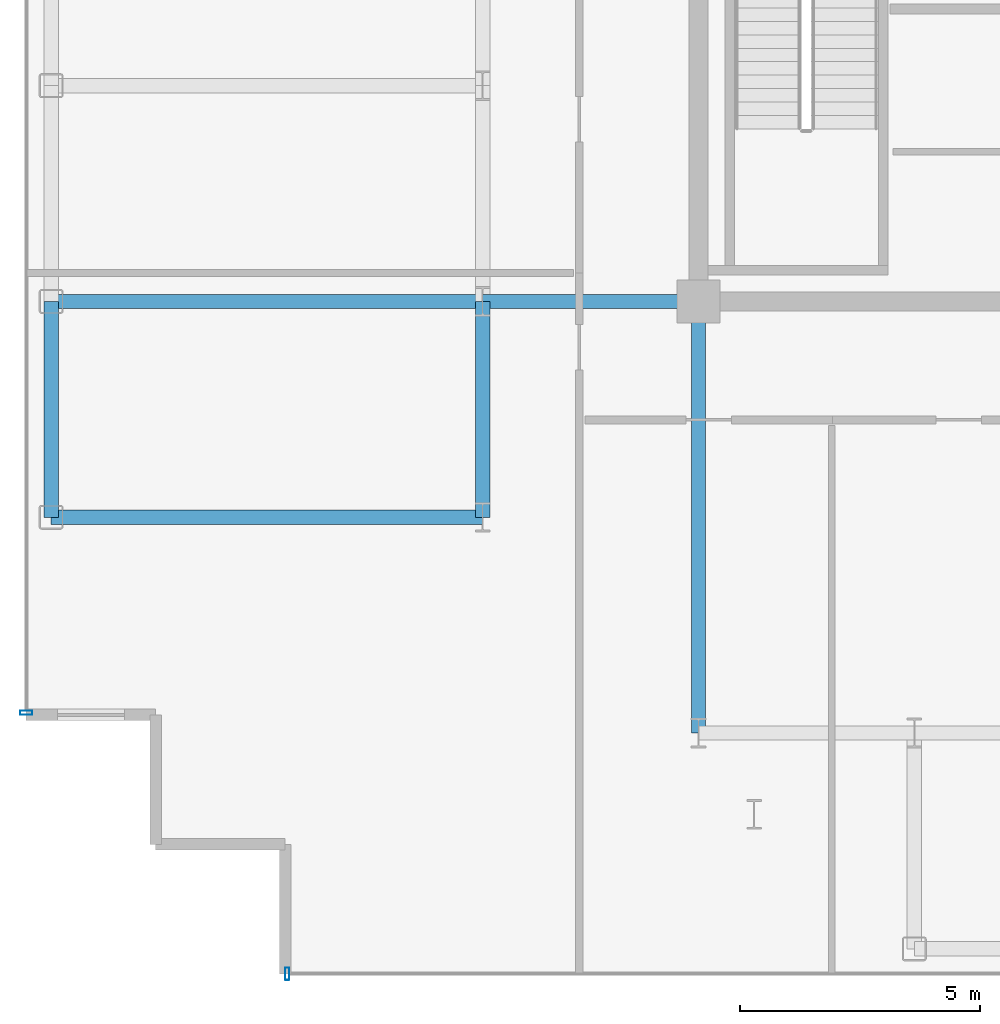
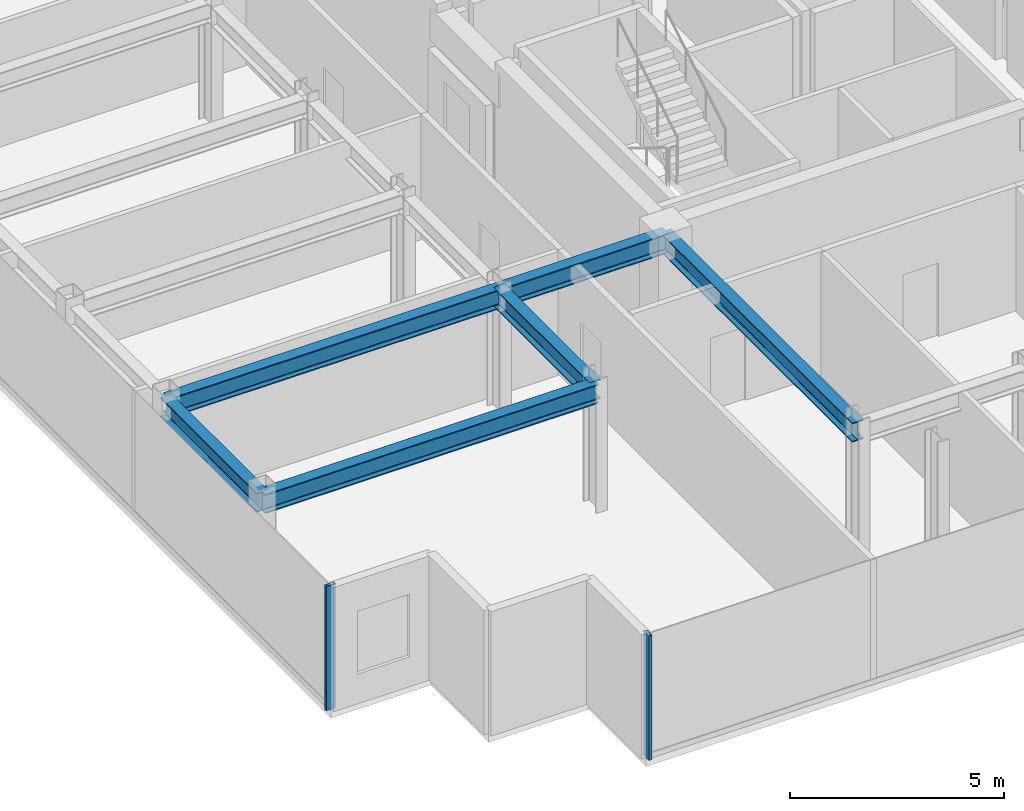
# One storey, part 2 of 18: 6 beams, 2 members, 2 elements without a shape of their own.
"""IFC4 building model written with IfcOpenShell, lengths in metres."""

from ifc_helpers import new_model, si_unit, direction, frame, origin, origin_2d, place, context, subcontext, project, spatial, hollow_rectangle, i_section, extrude, source, transform, mapped, material, layer, layer_set, material_profile, profile_set, type_object, element, aggregate, save


model = new_model("IFC4")

# Units and contexts
model_context = context("Model", 3, precision=1e-05, world=origin(), true_north=direction((0.0, 1.0)))
body_context = subcontext(model_context, "Body", "Model", "MODEL_VIEW")
ifc_project = project(units=[si_unit("LENGTHUNIT", "METRE"), si_unit("AREAUNIT", "SQUARE_METRE"), si_unit("VOLUMEUNIT", "CUBIC_METRE"), si_unit("PLANEANGLEUNIT", "RADIAN"), si_unit("MASSUNIT", "GRAM", prefix="KILO")], contexts=[model_context])

# Site, building, storey
site_placement = place(None, origin())
site = spatial("IfcSite", under=ifc_project, at=site_placement, CompositionType="ELEMENT")
building_placement = place(site_placement, origin())
building = spatial("IfcBuilding", under=site, at=building_placement, Name="Nefas-Gora Pilgrimage Tower", CompositionType="ELEMENT")
storey_placement = place(building_placement, frame((0.0, 0.0, 326.199951171875)))
storey = spatial("IfcBuildingStorey", under=building, at=storey_placement, Name="L82", CompositionType="ELEMENT", Elevation=326.199951171875)

# Beams
ifc_material_1 = material(Name="Steel S355", Category="steel")
ifc_material_profile_1 = material_profile(ifc_material_1, i_section(OverallWidth=0.300048828125, OverallDepth=0.550048828125, WebThickness=0.014892578125, FlangeThickness=0.029052734375, FilletRadius=0.027099609375, at=origin_2d()), Name="HEB 550")
ifc_profile_set_1 = profile_set([ifc_material_profile_1], Name="Steel S355")
beam_type_1 = type_object("IfcBeamType", Name="BM-SPN-HEB400", PredefinedType="SPANDREL", material=ifc_profile_set_1)
shared_shape_1 = source(origin(), body_context, "Body", "SweptSolid", [
    extrude(i_section(OverallWidth=0.300048828125, OverallDepth=0.550048828125, WebThickness=0.014892578125, FlangeThickness=0.029052734375, FilletRadius=0.027099609375, at=origin_2d()), origin(), (0.0, 0.0, 1.0), 4.5),
])
beam_placement = place(storey_placement, frame((-24.75, -13.5, 3.275146484375), z_axis=(0.0, 1.0, 0.0), x_axis=(-1.0, 0.0, 0.0)))
element("IfcBeam", 1, at=beam_placement, inside=storey, type_object=beam_type_1, Name="L82 SP-04 beam", PredefinedType="SPANDREL", context=body_context, shape_type="MappedRepresentation", body=[
    mapped(shared_shape_1, transform((0.0, 0.0, 0.0), x_axis=(1.0, 0.0, 0.0), y_axis=(0.0, 1.0, 0.0), z_axis=(0.0, 0.0, 1.0), scale=1.0)),
])
ifc_material_profile_2 = material_profile(ifc_material_1, i_section(OverallWidth=0.300048828125, OverallDepth=0.550048828125, WebThickness=0.014892578125, FlangeThickness=0.029052734375, FilletRadius=0.027099609375, at=origin_2d()), Name="HEB 550")
ifc_profile_set_2 = profile_set([ifc_material_profile_2], Name="Steel S355")
beam_type_2 = type_object("IfcBeamType", Name="BM-GIR-HEB550", PredefinedType="BEAM", material=ifc_profile_set_2)
shared_shape_2 = source(origin(), body_context, "Body", "SweptSolid", [
    extrude(i_section(OverallWidth=0.300048828125, OverallDepth=0.550048828125, WebThickness=0.014892578125, FlangeThickness=0.029052734375, FilletRadius=0.027099609375, at=origin_2d()), origin(), (0.0, 0.0, 1.0), 9.0),
])
for number, where, z_axis, x_axis, name in (
    (2, (-24.75, -13.5, 3.275146484375), (1.0, 0.0, 0.0), (0.0, 1.0, 0.0), "L82 G-05 beam"),
    (3, (-24.75, -9.0, 3.275146484375), (1.0, 0.0, 0.0), (0.0, 1.0, 0.0), "L82 G-05 beam"),
    (4, (-11.25, -18.0, 3.275146484375), (0.0, 1.0, 0.0), (-1.0, 0.0, 0.0), "L82 G-05 beam"),
):
    element("IfcBeam", number, at=place(storey_placement, frame(where, z_axis=z_axis, x_axis=x_axis)), inside=storey, type_object=beam_type_2, Name=name, PredefinedType="BEAM", context=body_context, shape_type="MappedRepresentation", body=[
        mapped(shared_shape_2, transform((0.0, 0.0, 0.0), x_axis=(1.0, 0.0, 0.0), y_axis=(0.0, 1.0, 0.0), z_axis=(0.0, 0.0, 1.0), scale=1.0)),
    ])
shared_shape_3 = source(origin(), body_context, "Body", "SweptSolid", [
    extrude(i_section(OverallWidth=0.300048828125, OverallDepth=0.550048828125, WebThickness=0.014892578125, FlangeThickness=0.029052734375, FilletRadius=0.027099609375, at=origin_2d()), origin(), (0.0, 0.0, 1.0), 4.5),
])
for number, where, z_axis, x_axis, name in (
    (5, (-15.75, -13.5, 3.275146484375), (0.0, 1.0, 0.0), (-1.0, 0.0, 0.0), "L82 G-05 beam"),
    (6, (-15.75, -9.0, 3.275146484375), (1.0, 0.0, 0.0), (0.0, 1.0, 0.0), "L82 G-05 beam"),
):
    element("IfcBeam", number, at=place(storey_placement, frame(where, z_axis=z_axis, x_axis=x_axis)), inside=storey, type_object=beam_type_2, Name=name, PredefinedType="BEAM", context=body_context, shape_type="MappedRepresentation", body=[
        mapped(shared_shape_3, transform((0.0, 0.0, 0.0), x_axis=(1.0, 0.0, 0.0), y_axis=(0.0, 1.0, 0.0), z_axis=(0.0, 0.0, 1.0), scale=1.0)),
    ])

# Curtain wall, member
ifc_material_2 = material(Name="Dark ceramic-fritted solar-control aluminium-glass curtain wall", Category="aluminium")
ifc_layer = layer(ifc_material_2, 0.219970703125)
ifc_layer_set = layer_set([ifc_layer], Name="Dark ceramic-fritted solar-control aluminium-glass curtain wall")
curtain_wall_type = type_object("IfcCurtainWallType", Name="CW-SYS-4", PredefinedType="NOTDEFINED", material=ifc_layer_set)
curtain_wall_1_placement = place(storey_placement, origin())
curtain_wall_1 = element("IfcCurtainWall", 7, at=curtain_wall_1_placement, inside=storey, type_object=curtain_wall_type, Name="L82 Unitised Curtain Wall CW4", PredefinedType="NOTDEFINED")
ifc_material_3 = material(Name="Anodised architectural aluminium", Category="aluminium")
ifc_material_profile_3 = material_profile(ifc_material_3, hollow_rectangle(XDim=0.090087890625, YDim=0.260009765625, WallThickness=0.006103515625, InnerFilletRadius=0.006103515625, OuterFilletRadius=0.011962890625, at=origin_2d()), Name="ALU MULLION 90x260")
ifc_profile_set_3 = profile_set([ifc_material_profile_3], Name="Anodised architectural aluminium")
member_type = type_object("IfcMemberType", Name="CWM-MUL-4", PredefinedType="MULLION", material=ifc_profile_set_3)
shared_shape_4 = source(origin(), body_context, "Body", "SweptSolid", [
    extrude(hollow_rectangle(XDim=0.090087890625, YDim=0.260009765625, WallThickness=0.006103515625, InnerFilletRadius=0.006103515625, OuterFilletRadius=0.011962890625, at=origin_2d()), origin(), (0.0, 0.0, 1.0), 3.550048828125),
])
member_1_placement = place(storey_placement, frame((-25.27001953125, -17.574951171875, 0.0), z_axis=(0.0, 0.0, 1.0), x_axis=(0.0, -1.0, 0.0)))
member_1 = element("IfcMember", 8, at=member_1_placement, type_object=member_type, Name="CW4 Mullion 3", PredefinedType="MULLION", context=body_context, shape_type="MappedRepresentation", body=[
    mapped(shared_shape_4, transform((0.0, 0.0, 0.0), x_axis=(1.0, 0.0, 0.0), y_axis=(0.0, 1.0, 0.0), z_axis=(0.0, 0.0, 1.0), scale=1.0)),
])
aggregate(curtain_wall_1, [member_1])

curtain_wall_2_placement = place(storey_placement, origin())
curtain_wall_2 = element("IfcCurtainWall", 9, at=curtain_wall_2_placement, inside=storey, type_object=curtain_wall_type, Name="L82 Unitised Curtain Wall CW4", PredefinedType="NOTDEFINED")
member_2_placement = place(storey_placement, frame((-19.824951171875, -23.02001953125, 0.0), z_axis=(0.0, 0.0, 1.0), x_axis=(1.0, 0.0, 0.0)))
member_2 = element("IfcMember", 10, at=member_2_placement, type_object=member_type, Name="CW4 Mullion 1", PredefinedType="MULLION", context=body_context, shape_type="MappedRepresentation", body=[
    mapped(shared_shape_4, transform((0.0, 0.0, 0.0), x_axis=(1.0, 0.0, 0.0), y_axis=(0.0, 1.0, 0.0), z_axis=(0.0, 0.0, 1.0), scale=1.0)),
])
aggregate(curtain_wall_2, [member_2])

save(model, "model.ifc")
